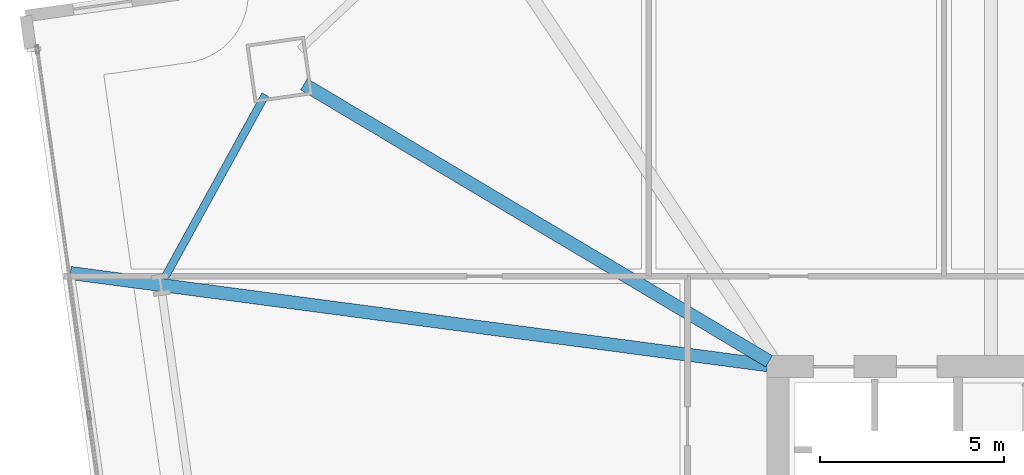
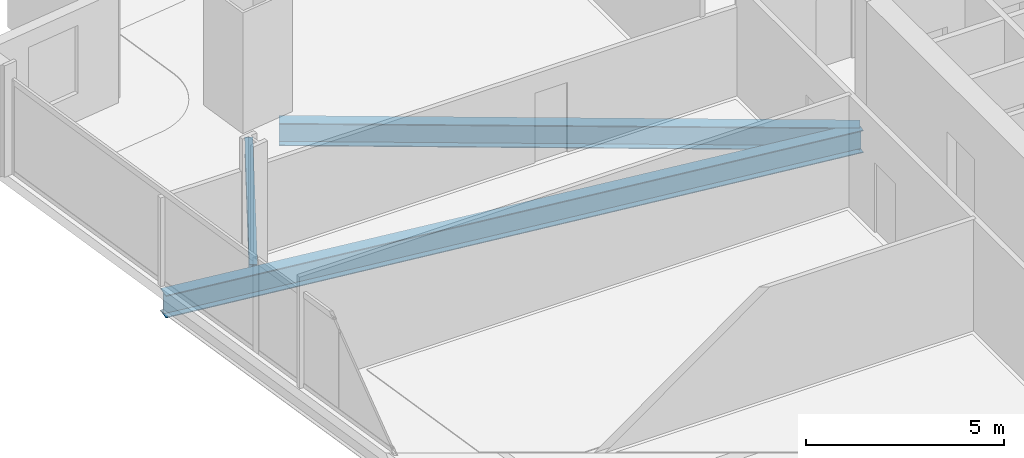
# One storey, part 15 of 33: 3 beams.
"""IFC4 building model written with IfcOpenShell, lengths in metres."""

from ifc_helpers import new_model, si_unit, direction, frame, origin, origin_2d, place, context, subcontext, project, spatial, i_section, extrude, material, material_profile, profile_set, type_object, element, save


model = new_model("IFC4")

# Units and contexts
model_context = context("Model", 3, precision=1e-05, world=origin(), true_north=direction((0.0, 1.0)))
body_context = subcontext(model_context, "Body", "Model", "MODEL_VIEW")
ifc_project = project(units=[si_unit("LENGTHUNIT", "METRE"), si_unit("AREAUNIT", "SQUARE_METRE"), si_unit("VOLUMEUNIT", "CUBIC_METRE"), si_unit("PLANEANGLEUNIT", "RADIAN"), si_unit("MASSUNIT", "GRAM", prefix="KILO")], contexts=[model_context])

# Site, building, storey
site_placement = place(None, origin())
site = spatial("IfcSite", under=ifc_project, at=site_placement, CompositionType="ELEMENT")
building_placement = place(site_placement, origin())
building = spatial("IfcBuilding", under=site, at=building_placement, Name="Haldenkirk Collegiate Tower", CompositionType="ELEMENT")
storey_placement = place(building_placement, frame((0.0, 0.0, 55.199951171875)))
storey = spatial("IfcBuildingStorey", under=building, at=storey_placement, Name="L12", CompositionType="ELEMENT", Elevation=55.199951171875)

# Beams
ifc_material = material(Name="Steel ASTM A992 Grade 50", Category="steel")
ifc_material_profile_1 = material_profile(ifc_material, i_section(OverallWidth=0.35498046875, OverallDepth=0.696044921875, WebThickness=0.015380859375, FlangeThickness=0.02490234375, at=origin_2d()), Name="W27X146")
ifc_profile_set_1 = profile_set([ifc_material_profile_1], Name="Steel ASTM A992 Grade 50")
beam_type_1 = type_object("IfcBeamType", Name="BM-GIRDER-W27X146", PredefinedType="BEAM", material=ifc_profile_set_1)
beam_1_placement = place(storey_placement, frame((14.14990234375, 41.6552734375, -0.657958984375), z_axis=(0.859106056552, -0.511797600225, 0.0), x_axis=(0.511797600225, 0.859106056552, 0.0)))
element("IfcBeam", 1, at=beam_1_placement, inside=storey, type_object=beam_type_1, Name="L12 primary floor girder 04", PredefinedType="BEAM", context=body_context, shape_type="SweptSolid", body=[
    extrude(i_section(OverallWidth=0.35498046875, OverallDepth=0.696044921875, WebThickness=0.015380859375, FlangeThickness=0.02490234375, at=origin_2d()), origin(), (0.0, 0.0, 1.0), 14.677490234375),
])
beam_2_placement = place(storey_placement, frame((7.816650390625, 36.536865234375, -0.657958984375), z_axis=(0.99136832737, -0.131106214528, 0.0), x_axis=(0.131106214528, 0.99136832737, 0.0)))
element("IfcBeam", 2, at=beam_2_placement, inside=storey, type_object=beam_type_1, Name="L12 primary floor girder 14", PredefinedType="BEAM", context=body_context, shape_type="SweptSolid", body=[
    extrude(i_section(OverallWidth=0.35498046875, OverallDepth=0.696044921875, WebThickness=0.015380859375, FlangeThickness=0.02490234375, at=origin_2d()), origin(), (0.0, 0.0, 1.0), 19.0703125),
])
ifc_material_profile_2 = material_profile(ifc_material, i_section(OverallWidth=0.2119140625, OverallDepth=0.5439453125, WebThickness=0.01318359375, FlangeThickness=0.021240234375, at=origin_2d()), Name="W21X83")
ifc_profile_set_2 = profile_set([ifc_material_profile_2], Name="Steel ASTM A992 Grade 50")
beam_type_2 = type_object("IfcBeamType", Name="BM-SPANDREL-W21X83", PredefinedType="SPANDREL", material=ifc_profile_set_2)
beam_3_placement = place(storey_placement, frame((13.10400390625, 41.37109375, -0.58203125), z_axis=(-0.482003753736, -0.876169151126, 0.0), x_axis=(0.876169151126, -0.482003753736, 0.0)))
element("IfcBeam", 3, at=beam_3_placement, inside=storey, type_object=beam_type_2, Name="L12 perimeter spandrel beam 13", PredefinedType="SPANDREL", context=body_context, shape_type="SweptSolid", body=[
    extrude(i_section(OverallWidth=0.2119140625, OverallDepth=0.5439453125, WebThickness=0.01318359375, FlangeThickness=0.021240234375, at=origin_2d()), origin(), (0.0, 0.0, 1.0), 5.622802734375),
])

save(model, "model.ifc")
